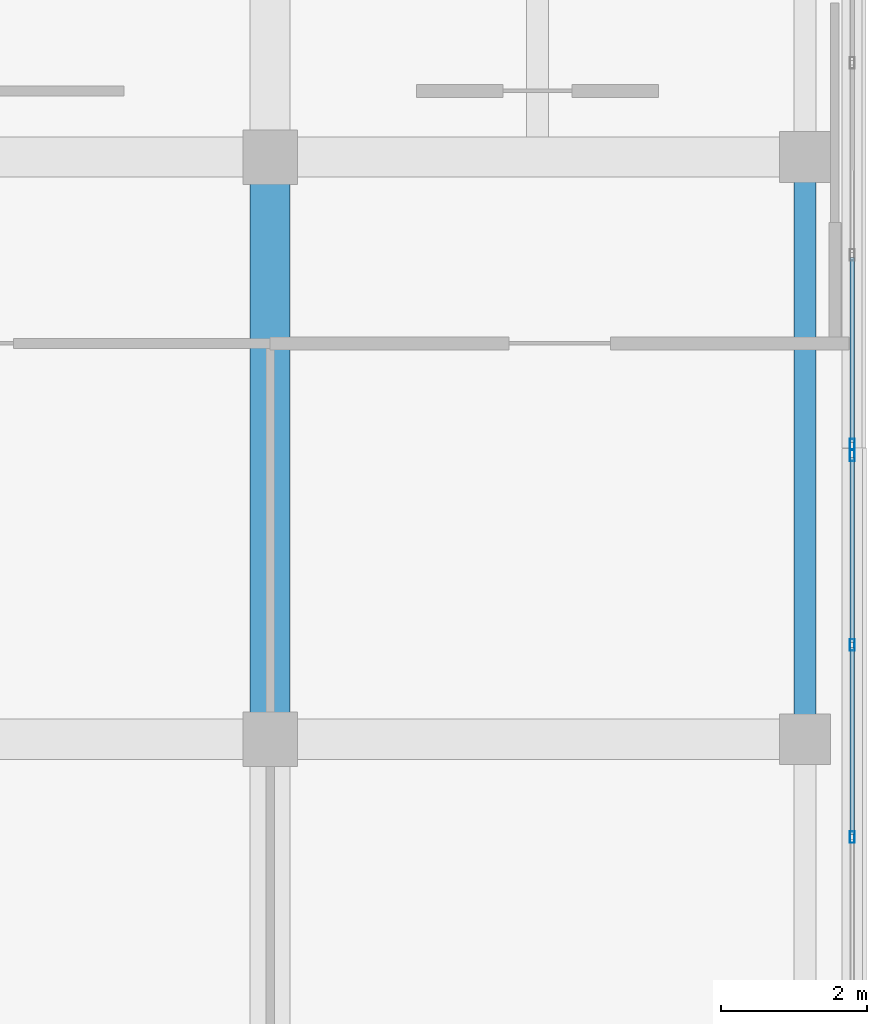
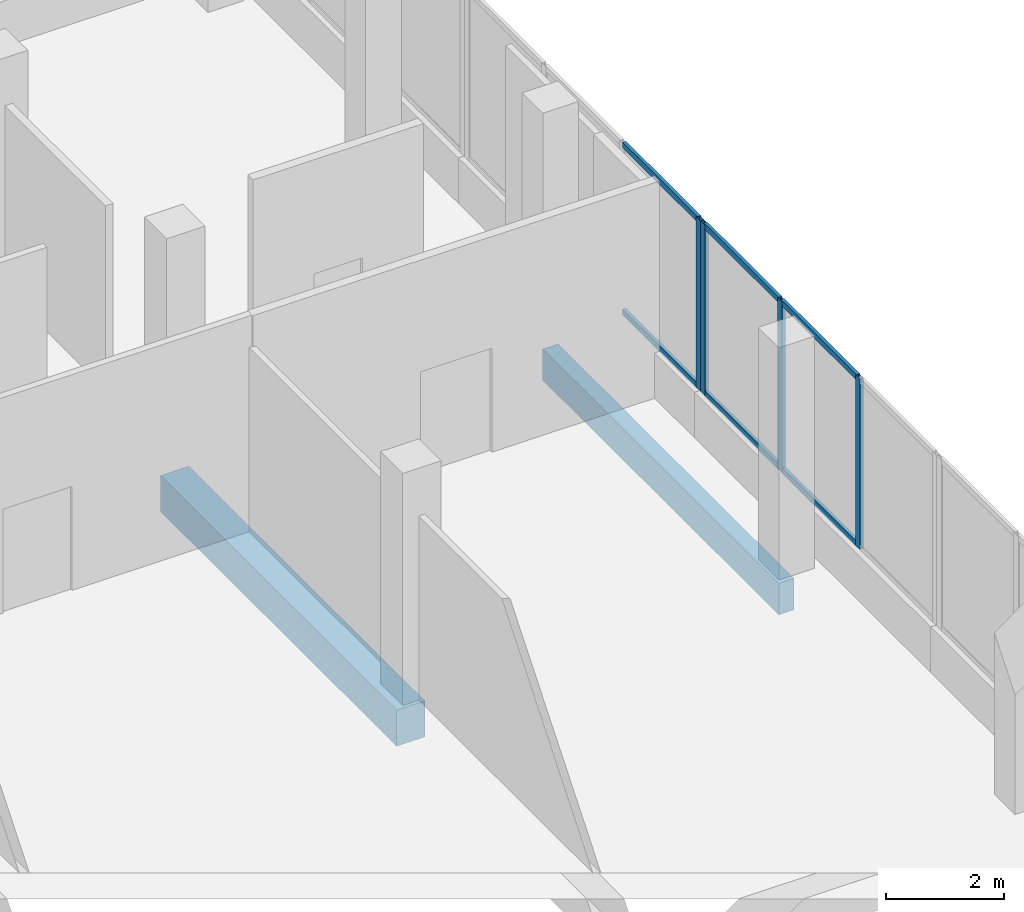
# One storey, part 106 of 155: 10 members, 2 beams, 2 elements without a shape of their own.
"""IFC4 building model written with IfcOpenShell, lengths in metres."""

from ifc_helpers import new_model, si_unit, direction, frame, origin, origin_2d, place, context, subcontext, project, spatial, rectangle, hollow_rectangle, extrude, material, material_profile, profile_set, type_object, element, aggregate, save


model = new_model("IFC4")

# Units and contexts
model_context = context("Model", 3, precision=1e-05, world=origin(), true_north=direction((0.0, 1.0)))
body_context = subcontext(model_context, "Body", "Model", "MODEL_VIEW")
ifc_project = project(units=[si_unit("LENGTHUNIT", "METRE"), si_unit("AREAUNIT", "SQUARE_METRE"), si_unit("VOLUMEUNIT", "CUBIC_METRE"), si_unit("PLANEANGLEUNIT", "RADIAN"), si_unit("MASSUNIT", "GRAM", prefix="KILO")], contexts=[model_context])

# Site, building, storey
site_placement = place(None, origin())
site = spatial("IfcSite", under=ifc_project, at=site_placement, CompositionType="ELEMENT")
building_placement = place(site_placement, origin())
building = spatial("IfcBuilding", under=site, at=building_placement, Name="Selatvlak General Hospital", CompositionType="ELEMENT")
storey_placement = place(building_placement, frame((0.0, 0.0, 10.199951171875)))
storey = spatial("IfcBuildingStorey", under=building, at=storey_placement, Name="L02", CompositionType="ELEMENT", Elevation=10.199951171875)

# Beams
ifc_material_1 = material(Name="Concrete C40/50", Category="concrete")
ifc_material_profile_1 = material_profile(ifc_material_1, rectangle(XDim=0.550048828125, YDim=0.75, at=origin_2d()), Name="RC-BM 550x750")
ifc_profile_set_1 = profile_set([ifc_material_profile_1], Name="Concrete C40/50")
beam_type_1 = type_object("IfcBeamType", Name="BM-G02", PredefinedType="BEAM", material=ifc_profile_set_1)
beam_1_placement = place(storey_placement, frame((174.0, 100.0, -0.72998046875), z_axis=(0.0, 1.0, 0.0), x_axis=(-1.0, 0.0, 0.0)))
element("IfcBeam", 1, at=beam_1_placement, inside=storey, type_object=beam_type_1, Name="Beam BMR-L02-1068", PredefinedType="BEAM", context=body_context, shape_type="SweptSolid", body=[
    extrude(rectangle(XDim=0.550048828125, YDim=0.75, at=origin_2d()), origin(), (0.0, 0.0, 1.0), 8.0),
])
ifc_material_profile_2 = material_profile(ifc_material_1, rectangle(XDim=0.300048828125, YDim=0.64990234375, at=origin_2d()), Name="RC-SP 300x650")
ifc_profile_set_2 = profile_set([ifc_material_profile_2], Name="Concrete C40/50")
beam_type_2 = type_object("IfcBeamType", Name="BM-SP1", PredefinedType="SPANDREL", material=ifc_profile_set_2)
beam_2_placement = place(storey_placement, frame((181.35009765625, 100.0, -0.679931640625), z_axis=(0.0, 1.0, 0.0), x_axis=(-1.0, 0.0, 0.0)))
element("IfcBeam", 2, at=beam_2_placement, inside=storey, type_object=beam_type_2, Name="Beam BMR-L02-1078", PredefinedType="SPANDREL", context=body_context, shape_type="SweptSolid", body=[
    extrude(rectangle(XDim=0.300048828125, YDim=0.64990234375, at=origin_2d()), origin(), (0.0, 0.0, 1.0), 8.0),
])

# Curtain wall, member
ifc_material_2 = material(Name="Solar-control Low-E double glazing", Category="glass")
curtain_wall_type_1 = type_object("IfcCurtainWallType", Name="CW-CW-01", PredefinedType="USERDEFINED", material=ifc_material_2)
curtain_wall_1_placement = place(storey_placement, origin())
curtain_wall_1 = element("IfcCurtainWall", 3, at=curtain_wall_1_placement, inside=storey, type_object=curtain_wall_type_1, Name="Glazed facade curtain wall CW-L02-0264", ObjectType="UNITISED CURTAIN WALL", PredefinedType="USERDEFINED")
ifc_material_3 = material(Name="Dark anodised aluminium mullion", Category="aluminium")
ifc_material_profile_3 = material_profile(ifc_material_3, hollow_rectangle(XDim=0.06494140625, YDim=0.159912109375, WallThickness=0.00390625, at=origin_2d()), Name="AL-MUL 65x160x4")
ifc_profile_set_3 = profile_set([ifc_material_profile_3], Name="Dark anodised aluminium mullion")
member_type_1 = type_object("IfcMemberType", Name="CWM-01", PredefinedType="MULLION", material=ifc_profile_set_3)
member_1_placement = place(storey_placement, frame((182.0, 104.048583984375, 0.93994140625), z_axis=(0.0, 0.0, 1.0), x_axis=(0.999999992027, 0.000126278568, 0.0)))
member_1 = element("IfcMember", 4, at=member_1_placement, type_object=member_type_1, Name="CW-01 mullion 4", PredefinedType="MULLION", context=body_context, shape_type="SweptSolid", body=[
    extrude(hollow_rectangle(XDim=0.06494140625, YDim=0.159912109375, WallThickness=0.00390625, at=origin_2d()), origin(), (0.0, 0.0, 1.0), 3.52001953125),
])

# Curtain wall, members
curtain_wall_type_2 = type_object("IfcCurtainWallType", Name="CW-CW-02", PredefinedType="USERDEFINED", material=ifc_material_2)
curtain_wall_2_placement = place(storey_placement, origin())
curtain_wall_2 = element("IfcCurtainWall", 5, at=curtain_wall_2_placement, inside=storey, type_object=curtain_wall_type_2, Name="Glazed facade curtain wall CW-L02-0265", ObjectType="UNITISED CURTAIN WALL", PredefinedType="USERDEFINED")
member_2_placement = place(storey_placement, frame((182.0, 103.903564453125, 0.93994140625), z_axis=(0.0, 0.0, 1.0), x_axis=(1.0, 0.0, 0.0)))
member_2 = element("IfcMember", 6, at=member_2_placement, type_object=member_type_1, Name="CW-02 mullion 1", PredefinedType="MULLION", context=body_context, shape_type="SweptSolid", body=[
    extrude(hollow_rectangle(XDim=0.06494140625, YDim=0.159912109375, WallThickness=0.00390625, at=origin_2d()), origin(), (0.0, 0.0, 1.0), 3.52001953125),
])
member_3_placement = place(storey_placement, frame((182.0, 101.2958984375, 0.93994140625), z_axis=(0.0, 0.0, 1.0), x_axis=(1.0, 0.0, 0.0)))
member_3 = element("IfcMember", 7, at=member_3_placement, type_object=member_type_1, Name="CW-02 mullion 2", PredefinedType="MULLION", context=body_context, shape_type="SweptSolid", body=[
    extrude(hollow_rectangle(XDim=0.06494140625, YDim=0.159912109375, WallThickness=0.00390625, at=origin_2d()), origin(), (0.0, 0.0, 1.0), 3.52001953125),
])
member_4_placement = place(storey_placement, frame((182.0, 98.656005859375, 0.93994140625), z_axis=(0.0, 0.0, 1.0), x_axis=(1.0, 0.0, 0.0)))
member_4 = element("IfcMember", 8, at=member_4_placement, type_object=member_type_1, Name="CW-02 mullion 3", PredefinedType="MULLION", context=body_context, shape_type="SweptSolid", body=[
    extrude(hollow_rectangle(XDim=0.06494140625, YDim=0.159912109375, WallThickness=0.00390625, at=origin_2d()), origin(), (0.0, 0.0, 1.0), 3.52001953125),
])

# Member
ifc_material_profile_4 = material_profile(ifc_material_3, hollow_rectangle(XDim=0.06494140625, YDim=0.1201171875, WallThickness=0.00390625, at=origin_2d()), Name="AL-TRN 65x120x4")
ifc_profile_set_4 = profile_set([ifc_material_profile_4], Name="Dark anodised aluminium mullion")
member_type_2 = type_object("IfcMemberType", Name="CWT-01", PredefinedType="USERDEFINED", material=ifc_profile_set_4)
member_5_placement = place(storey_placement, frame((181.999755859375, 106.623046875, 0.97265625), z_axis=(9.6043027e-05, -0.999999995388, 0.0), x_axis=(0.999999995388, 9.6043027e-05, 0.0)))
member_5 = element("IfcMember", 9, at=member_5_placement, type_object=member_type_2, Name="CW-01 transom 3.1", ObjectType="TRANSOM", PredefinedType="USERDEFINED", context=body_context, shape_type="SweptSolid", body=[
    extrude(hollow_rectangle(XDim=0.06494140625, YDim=0.1201171875, WallThickness=0.00390625, at=origin_2d()), origin(), (0.0, 0.0, 1.0), 2.5419921875),
])

member_6_placement = place(storey_placement, frame((181.999755859375, 106.623046875, 4.427490234375), z_axis=(9.6043027e-05, -0.999999995388, 0.0), x_axis=(0.999999995388, 9.6043027e-05, 0.0)))
member_6 = element("IfcMember", 10, at=member_6_placement, type_object=member_type_2, Name="CW-01 transom 3.2", ObjectType="TRANSOM", PredefinedType="USERDEFINED", context=body_context, shape_type="SweptSolid", body=[
    extrude(hollow_rectangle(XDim=0.06494140625, YDim=0.1201171875, WallThickness=0.00390625, at=origin_2d()), origin(), (0.0, 0.0, 1.0), 2.5419921875),
])

aggregate(curtain_wall_1, [member_1, member_5, member_6])

member_7_placement = place(storey_placement, frame((182.0, 103.87109375, 0.97265625), z_axis=(0.0, -1.0, 0.0), x_axis=(1.0, 0.0, 0.0)))
member_7 = element("IfcMember", 11, at=member_7_placement, type_object=member_type_2, Name="CW-02 transom 1.1", ObjectType="TRANSOM", PredefinedType="USERDEFINED", context=body_context, shape_type="SweptSolid", body=[
    extrude(hollow_rectangle(XDim=0.06494140625, YDim=0.1201171875, WallThickness=0.00390625, at=origin_2d()), origin(), (0.0, 0.0, 1.0), 2.54248046875),
])

member_8_placement = place(storey_placement, frame((182.0, 103.87109375, 4.427490234375), z_axis=(0.0, -1.0, 0.0), x_axis=(1.0, 0.0, 0.0)))
member_8 = element("IfcMember", 12, at=member_8_placement, type_object=member_type_2, Name="CW-02 transom 1.2", ObjectType="TRANSOM", PredefinedType="USERDEFINED", context=body_context, shape_type="SweptSolid", body=[
    extrude(hollow_rectangle(XDim=0.06494140625, YDim=0.1201171875, WallThickness=0.00390625, at=origin_2d()), origin(), (0.0, 0.0, 1.0), 2.54248046875),
])

member_9_placement = place(storey_placement, frame((182.0, 101.263427734375, 0.97265625), z_axis=(0.0, -1.0, 0.0), x_axis=(1.0, 0.0, 0.0)))
member_9 = element("IfcMember", 13, at=member_9_placement, type_object=member_type_2, Name="CW-02 transom 2.1", ObjectType="TRANSOM", PredefinedType="USERDEFINED", context=body_context, shape_type="SweptSolid", body=[
    extrude(hollow_rectangle(XDim=0.06494140625, YDim=0.1201171875, WallThickness=0.00390625, at=origin_2d()), origin(), (0.0, 0.0, 1.0), 2.574951171875),
])

member_10_placement = place(storey_placement, frame((182.0, 101.263427734375, 4.427490234375), z_axis=(0.0, -1.0, 0.0), x_axis=(1.0, 0.0, 0.0)))
member_10 = element("IfcMember", 14, at=member_10_placement, type_object=member_type_2, Name="CW-02 transom 2.2", ObjectType="TRANSOM", PredefinedType="USERDEFINED", context=body_context, shape_type="SweptSolid", body=[
    extrude(hollow_rectangle(XDim=0.06494140625, YDim=0.1201171875, WallThickness=0.00390625, at=origin_2d()), origin(), (0.0, 0.0, 1.0), 2.574951171875),
])

aggregate(curtain_wall_2, [member_2, member_3, member_4, member_7, member_8, member_9, member_10])

save(model, "model.ifc")
